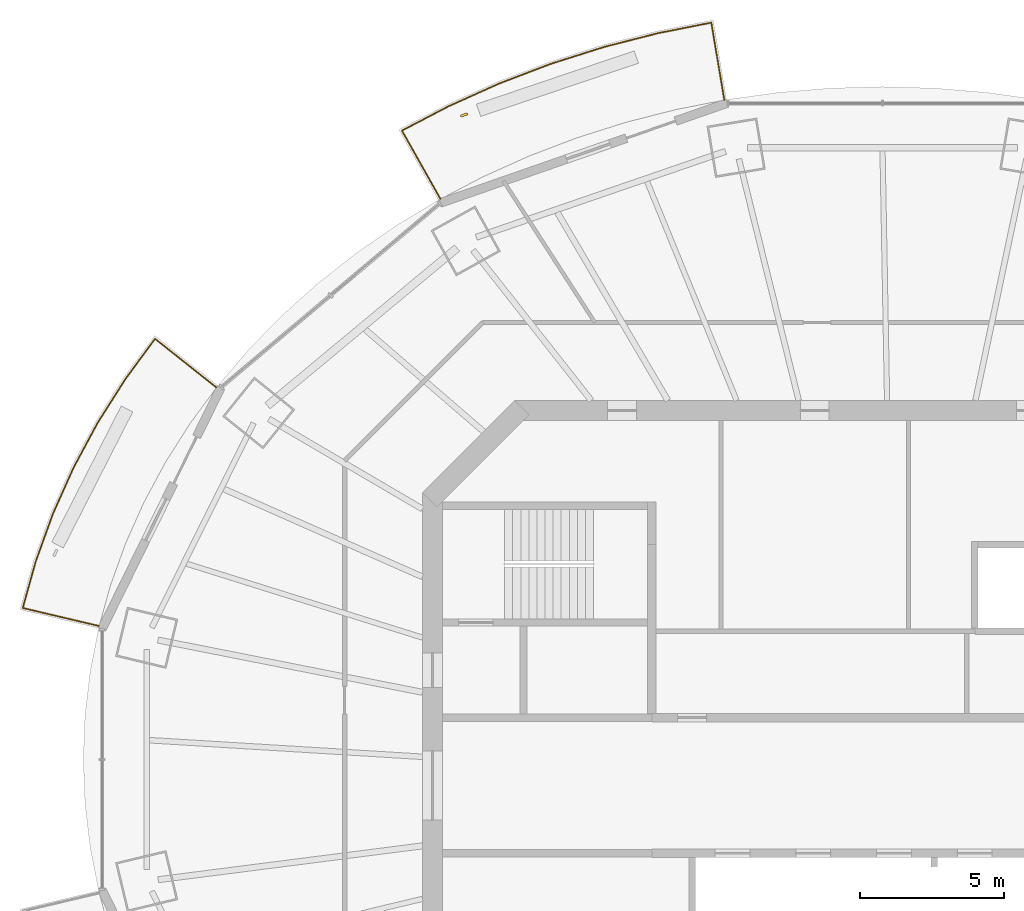
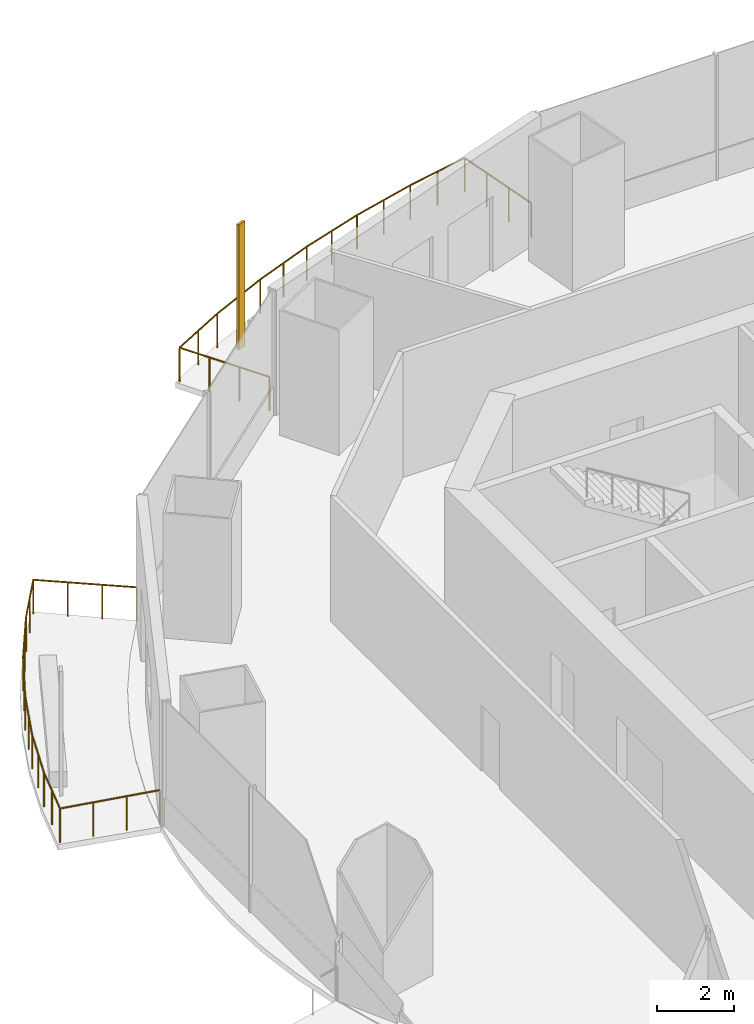
# One storey, part 14 of 16: 2 railings, 1 shading device.
"""IFC4 building model written with IfcOpenShell, lengths in metres."""

from ifc_helpers import new_model, si_unit, direction, frame, origin, origin_2d, place, context, subcontext, project, spatial, rectangle, circle, extrude, material, material_profile, profile_set, type_object, element, save


model = new_model("IFC4")

# Units and contexts
model_context = context("Model", 3, precision=1e-05, world=origin(), true_north=direction((0.0, 1.0)))
body_context = subcontext(model_context, "Body", "Model", "MODEL_VIEW")
ifc_project = project(units=[si_unit("LENGTHUNIT", "METRE"), si_unit("AREAUNIT", "SQUARE_METRE"), si_unit("VOLUMEUNIT", "CUBIC_METRE"), si_unit("PLANEANGLEUNIT", "RADIAN"), si_unit("MASSUNIT", "GRAM", prefix="KILO")], contexts=[model_context])

# Site, building, storey
site_placement = place(None, origin())
site = spatial("IfcSite", under=ifc_project, at=site_placement, CompositionType="ELEMENT")
building_placement = place(site_placement, origin())
building = spatial("IfcBuilding", under=site, at=building_placement, Name="Marenthal Gate Tower", CompositionType="ELEMENT")
storey_placement = place(building_placement, frame((0.0, 0.0, 326.0)))
storey = spatial("IfcBuildingStorey", under=building, at=storey_placement, Name="L73", CompositionType="ELEMENT", Elevation=326.0)

# Railings
ifc_material_1 = material(Name="Stainless steel", Category="steel")
railing_type = type_object("IfcRailingType", Name="Balcony guard 1100", PredefinedType="GUARDRAIL", material=ifc_material_1)
railing_1_placement = place(storey_placement, frame((-15.726318359375, 20.3349609375, 0.0)))
element("IfcRailing", 1, at=railing_1_placement, inside=storey, type_object=railing_type, Name="Balcony guard L73 bay 5", PredefinedType="GUARDRAIL", context=body_context, shape_type="SweptSolid", body=[
    extrude(circle(Radius=0.02392578125, at=origin_2d()), frame((0.0, 0.0, 1.076171875), z_axis=(-0.490566018996, 0.871279713211, -0.014718775543), x_axis=(-0.871374106592, -0.49061916632, 0.0)), (0.0, 0.0, 1.0), 2.72021484375),
    extrude(circle(Radius=0.02392578125, at=origin_2d()), frame((-1.33447265625, 2.3701171875, 1.0361328125), z_axis=(0.886546608419, 0.462639288324, 0.0), x_axis=(-0.462639288324, 0.886546608419, 0.0)), (0.0, 0.0, 1.0), 1.82177734375),
    extrude(circle(Radius=0.02392578125, at=origin_2d()), frame((0.280517578125, 3.212890625, 1.0361328125), z_axis=(0.911923891931, 0.410359373387, 0.0), x_axis=(-0.410359373387, 0.911923891931, 0.0)), (0.0, 0.0, 1.0), 1.913818359375),
    extrude(circle(Radius=0.02392578125, at=origin_2d()), frame((2.02587890625, 3.998291015625, 1.0361328125), z_axis=(0.93438727594, 0.356258920677, 0.0), x_axis=(-0.356258920677, 0.93438727594, 0.0)), (0.0, 0.0, 1.0), 1.92578125),
    extrude(circle(Radius=0.02392578125, at=origin_2d()), frame((3.8251953125, 4.684326171875, 1.0361328125), z_axis=(0.953258105079, 0.302157219178, 0.0), x_axis=(-0.302157219178, 0.953258105079, 0.0)), (0.0, 0.0, 1.0), 1.93603515625),
    extrude(circle(Radius=0.02392578125, at=origin_2d()), frame((5.670654296875, 5.269287109375, 1.0361328125), z_axis=(0.968904264382, 0.247435903744, 0.0), x_axis=(-0.247435903744, 0.968904264382, 0.0)), (0.0, 0.0, 1.0), 1.94482421875),
    extrude(circle(Radius=0.02392578125, at=origin_2d()), frame((7.554931640625, 5.75048828125, 1.0361328125), z_axis=(0.981044354343, 0.193783319228, 0.0), x_axis=(-0.193783319228, 0.981044354343, 0.0)), (0.0, 0.0, 1.0), 1.8720703125),
    extrude(circle(Radius=0.02392578125, at=origin_2d()), frame((9.3916015625, 6.11328125, 1.0361328125), z_axis=(0.165225230724, -0.986146026723, 0.014718597414), x_axis=(0.986252861995, 0.165243130591, 0.0)), (0.0, 0.0, 1.0), 2.72021484375),
    extrude(circle(Radius=0.02099609375, at=origin_2d()), origin(), (0.0, 0.0, 1.0), 1.052001953125),
    extrude(circle(Radius=0.02099609375, at=origin_2d()), frame((-0.44482421875, 0.7900390625, -0.013427734375)), (0.0, 0.0, 1.0), 1.052001953125),
    extrude(circle(Radius=0.02099609375, at=origin_2d()), frame((-0.8896484375, 1.580078125, -0.026611328125)), (0.0, 0.0, 1.0), 1.052001953125),
    extrude(circle(Radius=0.02099609375, at=origin_2d()), frame((-1.33447265625, 2.3701171875, -0.0400390625)), (0.0, 0.0, 1.0), 1.052001953125),
    extrude(circle(Radius=0.02099609375, at=origin_2d()), frame((-0.52685546875, 2.79150390625, -0.0400390625)), (0.0, 0.0, 1.0), 1.052001953125),
    extrude(circle(Radius=0.02099609375, at=origin_2d()), frame((0.280517578125, 3.212890625, -0.0400390625)), (0.0, 0.0, 1.0), 1.052001953125),
    extrude(circle(Radius=0.02099609375, at=origin_2d()), frame((1.1533203125, 3.60546875, -0.0400390625)), (0.0, 0.0, 1.0), 1.052001953125),
    extrude(circle(Radius=0.02099609375, at=origin_2d()), frame((2.02587890625, 3.998291015625, -0.0400390625)), (0.0, 0.0, 1.0), 1.052001953125),
    extrude(circle(Radius=0.02099609375, at=origin_2d()), frame((2.925537109375, 4.34130859375, -0.0400390625)), (0.0, 0.0, 1.0), 1.052001953125),
    extrude(circle(Radius=0.02099609375, at=origin_2d()), frame((3.8251953125, 4.684326171875, -0.0400390625)), (0.0, 0.0, 1.0), 1.052001953125),
    extrude(circle(Radius=0.02099609375, at=origin_2d()), frame((4.748046875, 4.976806640625, -0.0400390625)), (0.0, 0.0, 1.0), 1.052001953125),
    extrude(circle(Radius=0.02099609375, at=origin_2d()), frame((5.670654296875, 5.269287109375, -0.0400390625)), (0.0, 0.0, 1.0), 1.052001953125),
    extrude(circle(Radius=0.02099609375, at=origin_2d()), frame((6.61279296875, 5.509765625, -0.0400390625)), (0.0, 0.0, 1.0), 1.052001953125),
    extrude(circle(Radius=0.02099609375, at=origin_2d()), frame((7.554931640625, 5.75048828125, -0.0400390625)), (0.0, 0.0, 1.0), 1.052001953125),
    extrude(circle(Radius=0.02099609375, at=origin_2d()), frame((8.47314453125, 5.931884765625, -0.0400390625)), (0.0, 0.0, 1.0), 1.052001953125),
    extrude(circle(Radius=0.02099609375, at=origin_2d()), frame((9.3916015625, 6.11328125, -0.0400390625)), (0.0, 0.0, 1.0), 1.052001953125),
    extrude(circle(Radius=0.02099609375, at=origin_2d()), frame((9.54150390625, 5.218994140625, -0.026611328125)), (0.0, 0.0, 1.0), 1.052001953125),
    extrude(circle(Radius=0.02099609375, at=origin_2d()), frame((9.691162109375, 4.324951171875, -0.013427734375)), (0.0, 0.0, 1.0), 1.052001953125),
    extrude(circle(Radius=0.02099609375, at=origin_2d()), frame((9.841064453125, 3.4306640625, 0.0)), (0.0, 0.0, 1.0), 1.052001953125),
])
railing_2_placement = place(storey_placement, frame((-27.56103515625, 5.52880859375, 0.0)))
element("IfcRailing", 2, at=railing_2_placement, inside=storey, type_object=railing_type, Name="Balcony guard L73 bay 7", PredefinedType="GUARDRAIL", context=body_context, shape_type="SweptSolid", body=[
    extrude(circle(Radius=0.02392578125, at=origin_2d()), frame((0.0, 0.0, 1.076171875), z_axis=(-0.97315730439, 0.229669790827, -0.014718970573), x_axis=(-0.229694673631, -0.973262737859, 0.0)), (0.0, 0.0, 1.0), 2.72021484375),
    extrude(circle(Radius=0.02392578125, at=origin_2d()), frame((-2.647216796875, 0.624755859375, 1.0361328125), z_axis=(0.268631744924, 0.96324295254, 0.0), x_axis=(-0.96324295254, 0.268631744924, 0.0)), (0.0, 0.0, 1.0), 1.66943359375),
    extrude(circle(Radius=0.02392578125, at=origin_2d()), frame((-2.19873046875, 2.23291015625, 1.0361328125), z_axis=(0.338940900894, 0.940807666689, 0.0), x_axis=(-0.940807666689, 0.338940900894, 0.0)), (0.0, 0.0, 1.0), 1.7568359375),
    extrude(circle(Radius=0.02392578125, at=origin_2d()), frame((-1.603271484375, 3.8857421875, 1.0361328125), z_axis=(0.408087166089, 0.912942969124, 0.0), x_axis=(-0.912942969124, 0.408087166089, 0.0)), (0.0, 0.0, 1.0), 1.76611328125),
    extrude(circle(Radius=0.02392578125, at=origin_2d()), frame((-0.882568359375, 5.498046875, 1.0361328125), z_axis=(0.474001474553, 0.880524049712, 0.0), x_axis=(-0.880524049712, 0.474001474553, 0.0)), (0.0, 0.0, 1.0), 1.7763671875),
    extrude(circle(Radius=0.02392578125, at=origin_2d()), frame((-0.04052734375, 7.062255859375, 1.0361328125), z_axis=(0.535974159658, 0.844234386991, 0.0), x_axis=(-0.844234386991, 0.535974159658, 0.0)), (0.0, 0.0, 1.0), 1.788330078125),
    extrude(circle(Radius=0.02392578125, at=origin_2d()), frame((0.91796875, 8.572021484375, 1.0361328125), z_axis=(0.592758652735, 0.805380146023, 0.0), x_axis=(-0.805380146023, 0.592758652735, 0.0)), (0.0, 0.0, 1.0), 1.72119140625),
    extrude(circle(Radius=0.02392578125, at=origin_2d()), frame((1.938232421875, 9.958251953125, 1.0361328125), z_axis=(0.783491150454, -0.621228607496, 0.014718505003), x_axis=(0.621295908171, 0.783576029808, 0.0)), (0.0, 0.0, 1.0), 2.72021484375),
    extrude(circle(Radius=0.02099609375, at=origin_2d()), origin(), (0.0, 0.0, 1.0), 1.052001953125),
    extrude(circle(Radius=0.02099609375, at=origin_2d()), frame((-0.88232421875, 0.208251953125, -0.013427734375)), (0.0, 0.0, 1.0), 1.052001953125),
    extrude(circle(Radius=0.02099609375, at=origin_2d()), frame((-1.764892578125, 0.41650390625, -0.026611328125)), (0.0, 0.0, 1.0), 1.052001953125),
    extrude(circle(Radius=0.02099609375, at=origin_2d()), frame((-2.647216796875, 0.624755859375, -0.0400390625)), (0.0, 0.0, 1.0), 1.052001953125),
    extrude(circle(Radius=0.02099609375, at=origin_2d()), frame((-2.4228515625, 1.4287109375, -0.0400390625)), (0.0, 0.0, 1.0), 1.052001953125),
    extrude(circle(Radius=0.02099609375, at=origin_2d()), frame((-2.19873046875, 2.23291015625, -0.0400390625)), (0.0, 0.0, 1.0), 1.052001953125),
    extrude(circle(Radius=0.02099609375, at=origin_2d()), frame((-1.90087890625, 3.059326171875, -0.0400390625)), (0.0, 0.0, 1.0), 1.052001953125),
    extrude(circle(Radius=0.02099609375, at=origin_2d()), frame((-1.603271484375, 3.8857421875, -0.0400390625)), (0.0, 0.0, 1.0), 1.052001953125),
    extrude(circle(Radius=0.02099609375, at=origin_2d()), frame((-1.242919921875, 4.69189453125, -0.0400390625)), (0.0, 0.0, 1.0), 1.052001953125),
    extrude(circle(Radius=0.02099609375, at=origin_2d()), frame((-0.882568359375, 5.498046875, -0.0400390625)), (0.0, 0.0, 1.0), 1.052001953125),
    extrude(circle(Radius=0.02099609375, at=origin_2d()), frame((-0.46142578125, 6.2802734375, -0.0400390625)), (0.0, 0.0, 1.0), 1.052001953125),
    extrude(circle(Radius=0.02099609375, at=origin_2d()), frame((-0.04052734375, 7.062255859375, -0.0400390625)), (0.0, 0.0, 1.0), 1.052001953125),
    extrude(circle(Radius=0.02099609375, at=origin_2d()), frame((0.438720703125, 7.817138671875, -0.0400390625)), (0.0, 0.0, 1.0), 1.052001953125),
    extrude(circle(Radius=0.02099609375, at=origin_2d()), frame((0.91796875, 8.572021484375, -0.0400390625)), (0.0, 0.0, 1.0), 1.052001953125),
    extrude(circle(Radius=0.02099609375, at=origin_2d()), frame((1.42822265625, 9.26513671875, -0.0400390625)), (0.0, 0.0, 1.0), 1.052001953125),
    extrude(circle(Radius=0.02099609375, at=origin_2d()), frame((1.938232421875, 9.958251953125, -0.0400390625)), (0.0, 0.0, 1.0), 1.052001953125),
    extrude(circle(Radius=0.02099609375, at=origin_2d()), frame((2.648681640625, 9.39501953125, -0.026611328125)), (0.0, 0.0, 1.0), 1.052001953125),
    extrude(circle(Radius=0.02099609375, at=origin_2d()), frame((3.359130859375, 8.83154296875, -0.013427734375)), (0.0, 0.0, 1.0), 1.052001953125),
    extrude(circle(Radius=0.02099609375, at=origin_2d()), frame((4.069580078125, 8.268310546875, 0.0)), (0.0, 0.0, 1.0), 1.052001953125),
])

# Shading device
ifc_material_2 = material(Name="Terracotta", Category="masonry")
ifc_material_profile = material_profile(ifc_material_2, rectangle(XDim=0.25, YDim=0.080078125, at=origin_2d()), Name="Terracotta baguette 250x80")
ifc_profile_set = profile_set([ifc_material_profile], Name="Terracotta")
shading_device_type = type_object("IfcShadingDeviceType", Name="Terracotta BAGUETTE SCREEN 250x80", PredefinedType="USERDEFINED", material=ifc_profile_set)
shading_device_placement = place(storey_placement, frame((-14.90771484375, 23.24609375, -0.0400390625), z_axis=(0.0, 0.0, 1.0), x_axis=(-0.944213856974, -0.329332950521, 0.0)))
element("IfcShadingDevice", 3, at=shading_device_placement, inside=storey, type_object=shading_device_type, Name="Terracotta BAGUETTE L73 bay 5R", ObjectType="BAGUETTE SCREEN", PredefinedType="USERDEFINED", context=body_context, shape_type="SweptSolid", body=[
    extrude(rectangle(XDim=0.25, YDim=0.080078125, at=origin_2d()), origin(), (0.0, 0.0, 1.0), 3.969970703125),
])

save(model, "model.ifc")
